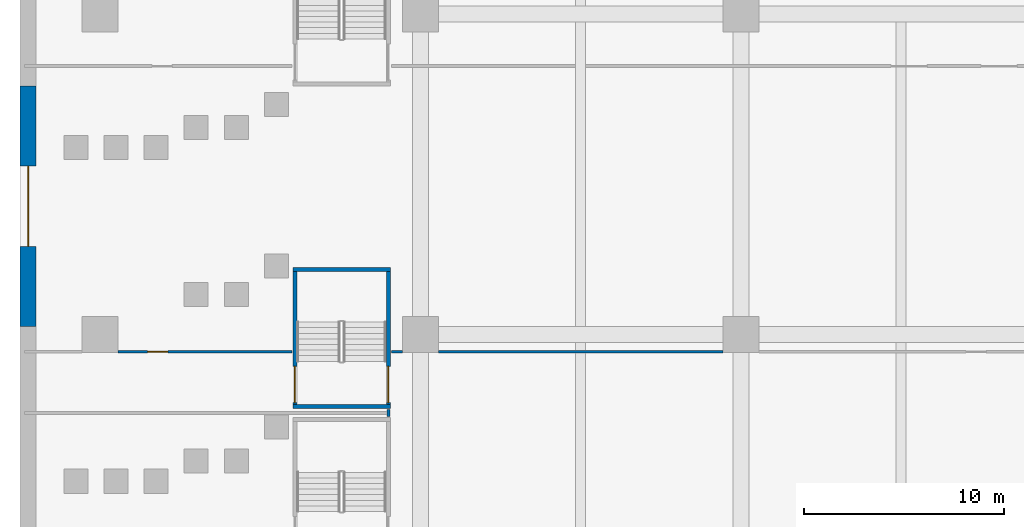
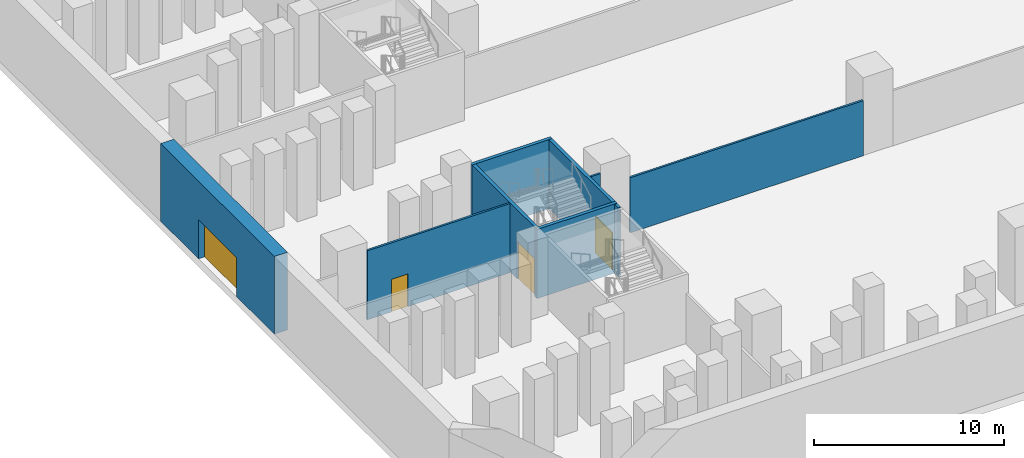
# One storey, part 4 of 24: 9 walls, 4 doors, 4 openings.
"""IFC4 building model written with IfcOpenShell, lengths in metres."""

from ifc_helpers import new_model, si_unit, direction, frame, frame_2d, origin, place, context, subcontext, project, spatial, rectangle, extrude, material, layer, layer_set, type_object, element, fill, save


model = new_model("IFC4")

# Units and contexts
model_context = context("Model", 3, precision=1e-05, world=origin(), true_north=direction((0.0, 1.0)))
body_context = subcontext(model_context, "Body", "Model", "MODEL_VIEW")
ifc_project = project(units=[si_unit("LENGTHUNIT", "METRE"), si_unit("AREAUNIT", "SQUARE_METRE"), si_unit("VOLUMEUNIT", "CUBIC_METRE"), si_unit("PLANEANGLEUNIT", "RADIAN"), si_unit("MASSUNIT", "GRAM", prefix="KILO")], contexts=[model_context])

# Site, building, storey
site_placement = place(None, origin())
site = spatial("IfcSite", under=ifc_project, at=site_placement, CompositionType="ELEMENT")
building_placement = place(site_placement, origin())
building = spatial("IfcBuilding", under=site, at=building_placement, Name="Calabash Gate Tower", CompositionType="ELEMENT")
storey_placement = place(building_placement, frame((0.0, 0.0, -5.0)))
storey = spatial("IfcBuildingStorey", under=building, at=storey_placement, Name="B1", CompositionType="ELEMENT", Elevation=-5.0)

# Wall, opening, door
ifc_material_1 = material(Name="Concrete C60/75", Category="concrete")
ifc_layer_1 = layer(ifc_material_1, 0.800048828125)
ifc_layer_set_1 = layer_set([ifc_layer_1], Name="Diaphragm wall 800 Concrete C60/75")
wall_type_1 = type_object("IfcWallType", Name="Diaphragm wall 800 Concrete C60/75", PredefinedType="SHEAR", material=ifc_layer_set_1)
wall_1_placement = place(storey_placement, frame((-51.60009765625, -23.60009765625, 0.0), z_axis=(0.0, 0.0, 1.0), x_axis=(0.0, 1.0, 0.0)))
wall_1 = element("IfcWall", 1, at=wall_1_placement, inside=storey, type_object=wall_type_1, Name="Diaphragm wall B1 vehicle opening west", PredefinedType="SHEAR", context=body_context, shape_type="SweptSolid", body=[
    extrude(rectangle(XDim=12.0, YDim=0.800048828125, at=frame_2d((6.0, 0.0))), origin(), (0.0, 0.0, 1.0), 5.0),
])
opening_1_placement = place(wall_1_placement, frame((4.0, 0.0, 0.0)))
opening_1 = element("IfcOpeningElement", 2, at=opening_1_placement, cuts=wall_1, Name="Opening B1-002", PredefinedType="OPENING", context=body_context, shape_type="SweptSolid", body=[
    extrude(rectangle(XDim=4.0, YDim=2.5, at=frame_2d((2.0, 1.25))), frame((0.0, 0.409912109375, 0.0), z_axis=(0.0, -1.0, 0.0), x_axis=(1.0, 0.0, 0.0)), (0.0, 0.0, 1.0), 0.820068359375),
])
ifc_material_2 = material(Name="Steel roller shutter, powder coated", Category="steel")
door_type_1 = type_object("IfcDoorType", Name="Car park roller shutter DV4 4000x2500", OperationType="ROLLINGUP", PredefinedType="DOOR", material=ifc_material_2)
door_1_placement = place(opening_1_placement, origin())
door_1 = element("IfcDoor", 3, at=door_1_placement, inside=storey, type_object=door_type_1, Name="Car park exit roller shutter", OperationType="SINGLE_SWING_LEFT", OverallHeight=2.5, OverallWidth=4.0, PredefinedType="DOOR", context=body_context, shape_type="SweptSolid", body=[
    extrude(rectangle(XDim=4.0, YDim=2.5, at=frame_2d((2.0, 1.25))), frame((0.0, 0.02490234375, 0.0), z_axis=(0.0, -1.0, 0.0), x_axis=(1.0, 0.0, 0.0)), (0.0, 0.0, 1.0), 0.050048828125),
])
fill(opening_1, door_1)

# Wall
ifc_material_3 = material(Name="Gypsum board on steel studs, mineral wool", Category="steel")
ifc_layer_2 = layer(ifc_material_3, 0.14990234375)
ifc_layer_set_2 = layer_set([ifc_layer_2], Name="Partition 150 gypsum board")
wall_type_2 = type_object("IfcWallType", Name="Partition 150 gypsum board", PredefinedType="PARTITIONING", material=ifc_layer_set_2)
wall_2_placement = place(storey_placement, frame((-33.60009765625, -28.110107421875, 0.0), z_axis=(0.0, 0.0, 1.0), x_axis=(0.0, 1.0, 0.0)))
element("IfcWall", 4, at=wall_2_placement, inside=storey, type_object=wall_type_2, Name="Partition", PredefinedType="PARTITIONING", context=body_context, shape_type="SweptSolid", body=[
    extrude(rectangle(XDim=0.3701171875, YDim=0.14990234375, at=frame_2d((0.18505859375, 0.0))), origin(), (0.0, 0.0, 1.0), 4.449951171875),
])

# Wall, opening, door
wall_3_placement = place(storey_placement, frame((-47.10009765625, -24.857421875, 0.0), z_axis=(0.0, 0.0, 1.0), x_axis=(1.0, 0.0, 0.0)))
wall_3 = element("IfcWall", 5, at=wall_3_placement, inside=storey, type_object=wall_type_2, Name="Partition", PredefinedType="PARTITIONING", context=body_context, shape_type="SweptSolid", body=[
    extrude(rectangle(XDim=8.690185546875, YDim=0.125, at=frame_2d((4.34521484375, 0.0))), origin(), (0.0, 0.0, 1.0), 4.449951171875),
])
opening_2_placement = place(wall_3_placement, frame((1.47900390625, 0.0, 0.0)))
opening_2 = element("IfcOpeningElement", 6, at=opening_2_placement, cuts=wall_3, Name="Opening B1-050", PredefinedType="OPENING", context=body_context, shape_type="SweptSolid", body=[
    extrude(rectangle(XDim=1.0, YDim=2.10009765625, at=frame_2d((0.5, 1.050048828125))), frame((0.0, 0.072509765625, 0.0), z_axis=(0.0, -1.0, 0.0), x_axis=(1.0, 0.0, 0.0)), (0.0, 0.0, 1.0), 0.14501953125),
])
ifc_material_4 = material(Name="Steel fire door set with fire-resisting glazing", Category="steel")
door_type_2 = type_object("IfcDoorType", Name="Fire door D11 1000x2100 FD60", OperationType="NOTDEFINED", PredefinedType="DOOR", material=ifc_material_4)
door_2_placement = place(opening_2_placement, origin())
door_2 = element("IfcDoor", 7, at=door_2_placement, inside=storey, type_object=door_type_2, Name="Metro Staff Room door", OperationType="SINGLE_SWING_LEFT", OverallHeight=2.10009765625, OverallWidth=1.0, PredefinedType="DOOR", context=body_context, shape_type="SweptSolid", body=[
    extrude(rectangle(XDim=1.0, YDim=2.10009765625, at=frame_2d((0.5, 1.050048828125))), frame((0.0, 0.02490234375, 0.0), z_axis=(0.0, -1.0, 0.0), x_axis=(1.0, 0.0, 0.0)), (0.0, 0.0, 1.0), 0.050048828125),
])
fill(opening_2, door_2)

# Walls
wall_4_placement = place(storey_placement, frame((-33.4599609375, -24.857421875, 0.0), z_axis=(0.0, 0.0, 1.0), x_axis=(1.0, 0.0, 0.0)))
element("IfcWall", 8, at=wall_4_placement, inside=storey, type_object=wall_type_2, Name="Partition", PredefinedType="PARTITIONING", context=body_context, shape_type="SweptSolid", body=[
    extrude(rectangle(XDim=0.56005859375, YDim=0.125, at=frame_2d((0.280029296875, 0.0))), origin(), (0.0, 0.0, 1.0), 4.449951171875),
])
wall_5_placement = place(storey_placement, frame((-31.10009765625, -24.857421875, 0.0), z_axis=(0.0, 0.0, 1.0), x_axis=(1.0, 0.0, 0.0)))
element("IfcWall", 9, at=wall_5_placement, inside=storey, type_object=wall_type_2, Name="Partition", PredefinedType="PARTITIONING", context=body_context, shape_type="SweptSolid", body=[
    extrude(rectangle(XDim=14.2001953125, YDim=0.125, at=frame_2d((7.10009765625, 0.0))), origin(), (0.0, 0.0, 1.0), 3.550048828125),
])
ifc_material_5 = material(Name="Concrete C40/50", Category="concrete")
ifc_layer_3 = layer(ifc_material_5, 0.199951171875)
ifc_layer_set_3 = layer_set([ifc_layer_3], Name="Stair wall 200 Concrete C40/50")
wall_type_3 = type_object("IfcWallType", Name="Stair wall 200 Concrete C40/50", PredefinedType="SOLIDWALL", material=ifc_layer_set_3)
for number, where, z_axis, x_axis, name in (
    (10, (-38.3701171875, -27.60009765625, 0.0), (0.0, 0.0, 1.0), (1.0, 0.0, 0.0), "Stair wall"),
    (11, (-38.3701171875, -20.75, 0.0), (0.0, 0.0, 1.0), (1.0, 0.0, 0.0), "Stair wall"),
):
    element("IfcWall", number, at=place(storey_placement, frame(where, z_axis=z_axis, x_axis=x_axis)), inside=storey, type_object=wall_type_3, Name=name, PredefinedType="SOLIDWALL", context=body_context, shape_type="SweptSolid", body=[
        extrude(rectangle(XDim=4.8701171875, YDim=0.199951171875, at=frame_2d((2.43505859375, 0.0))), origin(), (0.0, 0.0, 1.0), 4.449951171875),
    ])

# Wall, opening, door
wall_6_placement = place(storey_placement, frame((-38.27001953125, -27.5, 0.0), z_axis=(0.0, 0.0, 1.0), x_axis=(0.0, 1.0, 0.0)))
wall_6 = element("IfcWall", 12, at=wall_6_placement, inside=storey, type_object=wall_type_3, Name="Stair wall", PredefinedType="SOLIDWALL", context=body_context, shape_type="SweptSolid", body=[
    extrude(rectangle(XDim=6.64990234375, YDim=0.199951171875, at=frame_2d((3.324951171875, 0.0))), origin(), (0.0, 0.0, 1.0), 4.449951171875),
])
opening_3_placement = place(wall_6_placement, frame((0.10009765625, 0.0, 0.0)))
opening_3 = element("IfcOpeningElement", 13, at=opening_3_placement, cuts=wall_6, Name="Opening B1-025", PredefinedType="OPENING", context=body_context, shape_type="SweptSolid", body=[
    extrude(rectangle(XDim=1.800048828125, YDim=2.39990234375, at=frame_2d((0.89990234375, 1.199951171875))), frame((0.0, 0.10986328125, 0.0), z_axis=(0.0, -1.0, 0.0), x_axis=(1.0, 0.0, 0.0)), (0.0, 0.0, 1.0), 0.219970703125),
])
ifc_material_6 = material(Name="Steel fire door set with fire-resisting glazing", Category="steel")
door_type_3 = type_object("IfcDoorType", Name="Double fire door D16 1800x2400 FD90", OperationType="DOUBLE_DOOR_SINGLE_SWING", PredefinedType="DOOR", material=ifc_material_6)
door_3_placement = place(opening_3_placement, origin())
door_3 = element("IfcDoor", 14, at=door_3_placement, inside=storey, type_object=door_type_3, Name="Exit stair door PS2", OperationType="DOUBLE_DOOR_SINGLE_SWING", OverallHeight=2.39990234375, OverallWidth=1.800048828125, PredefinedType="DOOR", context=body_context, shape_type="SweptSolid", body=[
    extrude(rectangle(XDim=1.800048828125, YDim=2.39990234375, at=frame_2d((0.89990234375, 1.199951171875))), frame((0.0, 0.02490234375, 0.0), z_axis=(0.0, -1.0, 0.0), x_axis=(1.0, 0.0, 0.0)), (0.0, 0.0, 1.0), 0.050048828125),
])
fill(opening_3, door_3)

wall_7_placement = place(storey_placement, frame((-33.60009765625, -27.5, 0.0), z_axis=(0.0, 0.0, 1.0), x_axis=(0.0, 1.0, 0.0)))
wall_7 = element("IfcWall", 15, at=wall_7_placement, inside=storey, type_object=wall_type_3, Name="Stair wall", PredefinedType="SOLIDWALL", context=body_context, shape_type="SweptSolid", body=[
    extrude(rectangle(XDim=6.64990234375, YDim=0.199951171875, at=frame_2d((3.324951171875, 0.0))), origin(), (0.0, 0.0, 1.0), 4.449951171875),
])
opening_4_placement = place(wall_7_placement, frame((0.10009765625, 0.0, 0.0)))
opening_4 = element("IfcOpeningElement", 16, at=opening_4_placement, cuts=wall_7, Name="Opening B1-024", PredefinedType="OPENING", context=body_context, shape_type="SweptSolid", body=[
    extrude(rectangle(XDim=1.800048828125, YDim=2.39990234375, at=frame_2d((0.89990234375, 1.199951171875))), frame((0.0, 0.10986328125, 0.0), z_axis=(0.0, -1.0, 0.0), x_axis=(1.0, 0.0, 0.0)), (0.0, 0.0, 1.0), 0.219970703125),
])
door_4_placement = place(opening_4_placement, origin())
door_4 = element("IfcDoor", 17, at=door_4_placement, inside=storey, type_object=door_type_3, Name="Exit stair door PS2", OperationType="DOUBLE_DOOR_SINGLE_SWING", OverallHeight=2.39990234375, OverallWidth=1.800048828125, PredefinedType="DOOR", context=body_context, shape_type="SweptSolid", body=[
    extrude(rectangle(XDim=1.800048828125, YDim=2.39990234375, at=frame_2d((0.89990234375, 1.199951171875))), frame((0.0, 0.02490234375, 0.0), z_axis=(0.0, -1.0, 0.0), x_axis=(1.0, 0.0, 0.0)), (0.0, 0.0, 1.0), 0.050048828125),
])
fill(opening_4, door_4)

save(model, "model.ifc")
